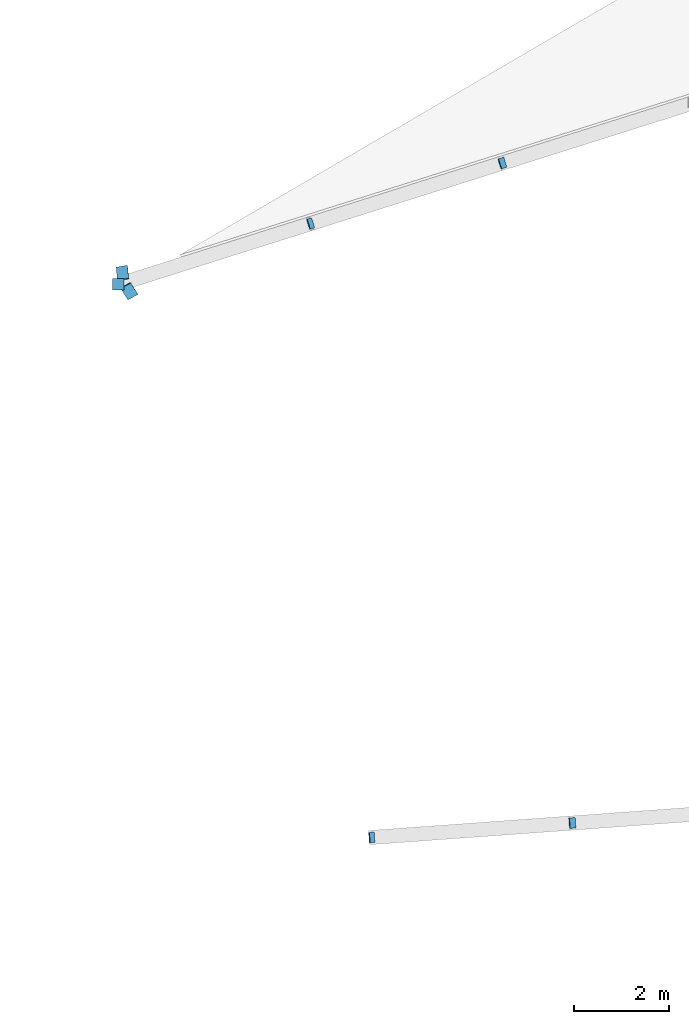
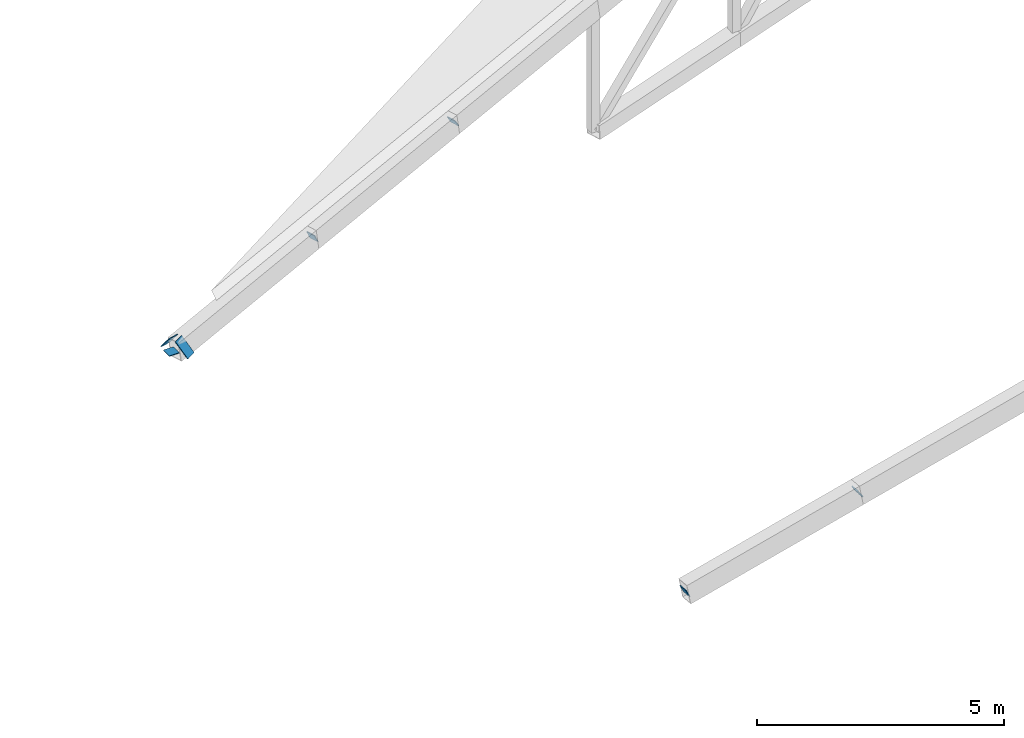
# One storey, part 174 of 188: 7 discrete accessories.
"""IFC4 building model written with IfcOpenShell, lengths in metres."""

from ifc_helpers import new_model, si_unit, direction, frame, origin, origin_2d, place, context, subcontext, project, spatial, rectangle, extrude, material, material_profile, profile_set, type_object, element, save


model = new_model("IFC4")

# Units and contexts
model_context = context("Model", 3, precision=1e-05, world=origin(), true_north=direction((0.0, 1.0)))
body_context = subcontext(model_context, "Body", "Model", "MODEL_VIEW")
ifc_project = project(units=[si_unit("LENGTHUNIT", "METRE"), si_unit("AREAUNIT", "SQUARE_METRE"), si_unit("VOLUMEUNIT", "CUBIC_METRE"), si_unit("PLANEANGLEUNIT", "RADIAN"), si_unit("MASSUNIT", "GRAM", prefix="KILO")], contexts=[model_context])

# Site, building, storey
site_placement = place(None, origin())
site = spatial("IfcSite", under=ifc_project, at=site_placement, CompositionType="ELEMENT")
building_placement = place(site_placement, origin())
building = spatial("IfcBuilding", under=site, at=building_placement, Name="Meseta Stadium", CompositionType="ELEMENT")
storey_placement = place(building_placement, frame((0.0, 0.0, 30.0)))
storey = spatial("IfcBuildingStorey", under=building, at=storey_placement, Name="ROOF", CompositionType="ELEMENT", Elevation=30.0)

# Discrete accessories
ifc_material_1 = material(Name="Steel S355", Category="steel")
ifc_material_profile_1 = material_profile(ifc_material_1, rectangle(XDim=0.219970703125, YDim=0.219970703125, at=origin_2d()), Name="PL 220x220")
ifc_profile_set_1 = profile_set([ifc_material_profile_1], Name="Steel S355")
discrete_accessory_type_1 = type_object("IfcDiscreteAccessoryType", Name="End plate 220x220x20", PredefinedType="ANCHORPLATE", material=ifc_profile_set_1)
for number, where, z_axis, x_axis, name in (
    (1, (51.193603515625, 40.13720703125, 0.956298828125), (0.88538524467, 0.060642824977, 0.460885469828), (-0.068333052409, 0.997662565173, 0.0), "End plate of ROOF TRUSS RT-08 diagonal"),
    (2, (55.405029296875, 40.440185546875, 1.756591796875), (0.832368835513, 0.061203590847, 0.550832317619), (-0.073331443036, 0.99730762529, 0.0), "End plate of ROOF TRUSS RT-08 diagonal"),
    (3, (49.90966796875, 53.0205078125, 2.36474609375), (0.856465372407, 0.269174831328, 0.440467905809), (-0.29982659674, 0.953993716901, 0.0), "End plate of ROOF TRUSS RT-10 diagonal"),
    (4, (53.93603515625, 54.2919921875, 3.035400390625), (0.809587449693, 0.25759600672, 0.527458489951), (-0.303203657277, 0.952925780013, 0.0), "End plate of ROOF TRUSS RT-10 diagonal"),
):
    element("IfcDiscreteAccessory", number, at=place(storey_placement, frame(where, z_axis=z_axis, x_axis=x_axis)), inside=storey, type_object=discrete_accessory_type_1, Name=name, PredefinedType="ANCHORPLATE", context=body_context, shape_type="SweptSolid", body=[
        extrude(rectangle(XDim=0.219970703125, YDim=0.219970703125, at=origin_2d()), origin(), (0.0, 0.0, 1.0), 0.02001953125),
    ])
ifc_material_2 = material(Name="Steel S355", Category="steel")
ifc_material_profile_2 = material_profile(ifc_material_2, rectangle(XDim=0.239990234375, YDim=0.239990234375, at=origin_2d()), Name="PL 240x240")
ifc_profile_set_2 = profile_set([ifc_material_profile_2], Name="Steel S355")
discrete_accessory_type_2 = type_object("IfcDiscreteAccessoryType", Name="End plate 240x240x20", PredefinedType="ANCHORPLATE", material=ifc_profile_set_2)
discrete_accessory_placement = place(storey_placement, frame((45.883544921875, 51.749267578125, 1.69384765625), z_axis=(0.0, 0.0, 1.0), x_axis=(1.0, 0.0, 0.0)))
element("IfcDiscreteAccessory", 5, at=discrete_accessory_placement, inside=storey, type_object=discrete_accessory_type_2, Name="End plate of ROOF TRUSS RT-10 post", PredefinedType="ANCHORPLATE", context=body_context, shape_type="SweptSolid", body=[
    extrude(rectangle(XDim=0.239990234375, YDim=0.239990234375, at=origin_2d()), origin(), (0.0, 0.0, 1.0), 0.02001953125),
])
ifc_material_3 = material(Name="Steel S355", Category="steel")
ifc_material_profile_3 = material_profile(ifc_material_3, rectangle(XDim=0.239990234375, YDim=0.43994140625, at=origin_2d()), Name="PL 240x440")
ifc_profile_set_3 = profile_set([ifc_material_profile_3], Name="Steel S355")
discrete_accessory_type_3 = type_object("IfcDiscreteAccessoryType", Name="End plate 240x440x20", PredefinedType="ANCHORPLATE", material=ifc_profile_set_3)
for number, where, z_axis, x_axis, name in (
    (6, (45.9716796875, 51.9775390625, 1.8037109375), (-0.17020097317, 0.765904379266, 0.620017830835), (-0.983527182229, -0.170905489709, -0.058869307834), "End plate of TIP RING BEAM 10"),
    (7, (46.112548828125, 51.600830078125, 1.824951171875), (-0.3168376562, 0.694605630899, -0.645861376099), (-0.881322221378, -0.467273137743, -0.070192284822), "End plate of TIP RING BEAM 11"),
):
    element("IfcDiscreteAccessory", number, at=place(storey_placement, frame(where, z_axis=z_axis, x_axis=x_axis)), inside=storey, type_object=discrete_accessory_type_3, Name=name, PredefinedType="ANCHORPLATE", context=body_context, shape_type="SweptSolid", body=[
        extrude(rectangle(XDim=0.239990234375, YDim=0.43994140625, at=origin_2d()), origin(), (0.0, 0.0, 1.0), 0.02001953125),
    ])

save(model, "model.ifc")
